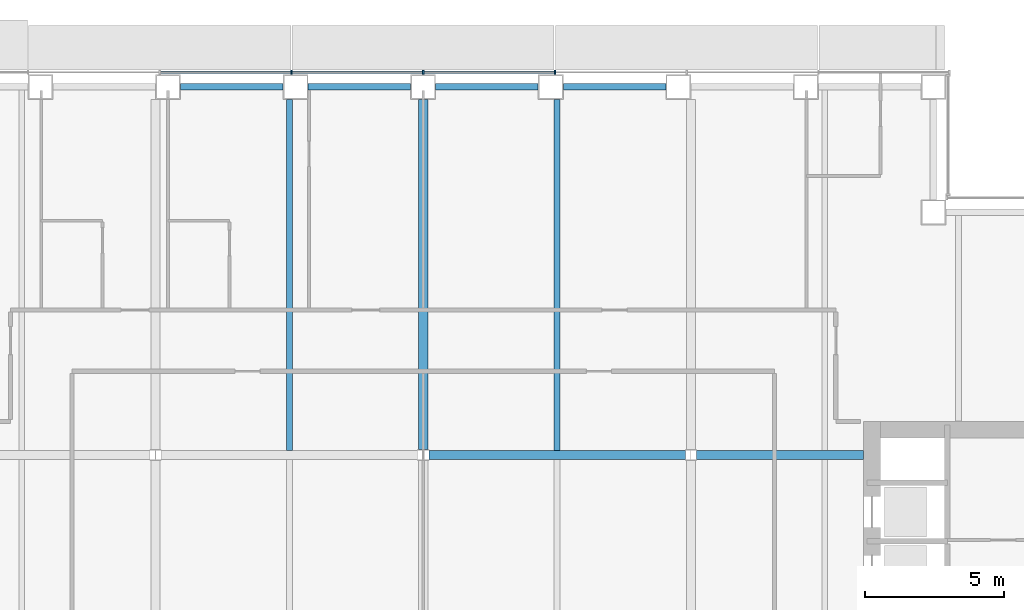
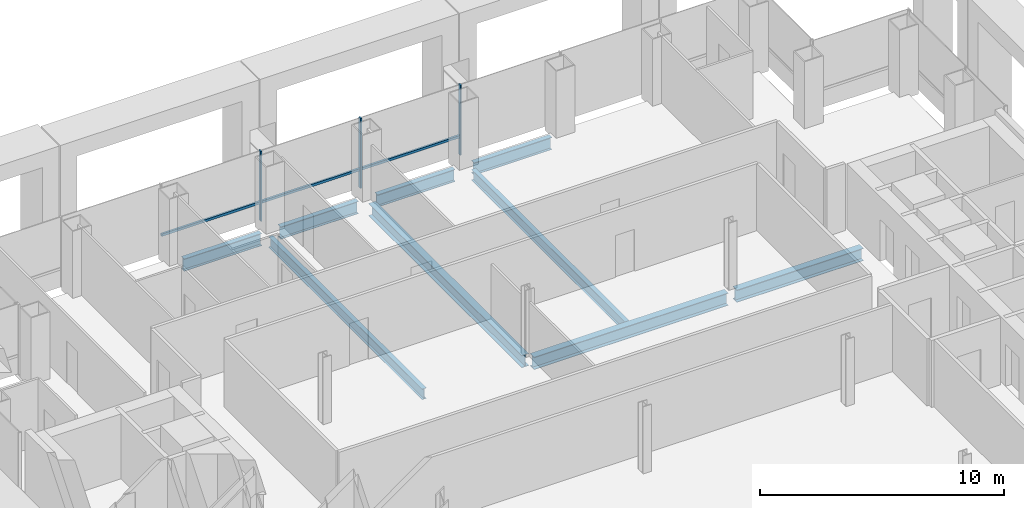
# One storey, part 7 of 19: 9 beams, 6 members, 1 element without a shape of its own.
"""IFC4 building model written with IfcOpenShell, lengths in metres."""

from ifc_helpers import new_model, si_unit, direction, frame, origin, origin_2d, place, context, subcontext, project, spatial, rectangle, i_section, extrude, material, material_profile, profile_set, type_object, element, aggregate, save


model = new_model("IFC4")

# Units and contexts
model_context = context("Model", 3, precision=1e-05, world=origin(), true_north=direction((0.0, 1.0)))
body_context = subcontext(model_context, "Body", "Model", "MODEL_VIEW")
ifc_project = project(units=[si_unit("LENGTHUNIT", "METRE"), si_unit("AREAUNIT", "SQUARE_METRE"), si_unit("VOLUMEUNIT", "CUBIC_METRE"), si_unit("PLANEANGLEUNIT", "RADIAN"), si_unit("MASSUNIT", "GRAM", prefix="KILO")], contexts=[model_context])

# Site, building, storey
site_placement = place(None, origin())
site = spatial("IfcSite", under=ifc_project, at=site_placement, CompositionType="ELEMENT")
building_placement = place(site_placement, origin())
building = spatial("IfcBuilding", under=site, at=building_placement, Name="Cobrizo Arcos Hotel Tower", CompositionType="ELEMENT")
storey_placement = place(building_placement, frame((0.0, 0.0, 103.0)))
storey = spatial("IfcBuildingStorey", under=building, at=storey_placement, Name="L25", CompositionType="ELEMENT", Elevation=103.0)

# Curtain wall, members
ifc_material_1 = material(Name="Aluminium 6063-T6 anodised bronze", Category="aluminium")
curtain_wall_type = type_object("IfcCurtainWallType", Name="CW-A guest facade", PredefinedType="NOTDEFINED", material=ifc_material_1)
curtain_wall_placement = place(storey_placement, origin())
curtain_wall = element("IfcCurtainWall", 1, at=curtain_wall_placement, inside=storey, type_object=curtain_wall_type, Name="CW-A L25 N face", PredefinedType="NOTDEFINED")
ifc_material_profile_1 = material_profile(ifc_material_1, rectangle(XDim=0.14990234375, YDim=0.06005859375, at=origin_2d()), Name="CW-A mullion 150x60")
ifc_profile_set_1 = profile_set([ifc_material_profile_1], Name="Aluminium 6063-T6 anodised bronze")
member_type_1 = type_object("IfcMemberType", Name="CW-A mullion 150x60", PredefinedType="MULLION", material=ifc_profile_set_1)
member_1_placement = place(storey_placement, frame((4.72509765625, 23.324951171875, 0.0), z_axis=(0.0, 0.0, 1.0), x_axis=(0.0, 1.0, 0.0)))
member_1 = element("IfcMember", 2, at=member_1_placement, type_object=member_type_1, Name="CW-A mullion 4", PredefinedType="MULLION", context=body_context, shape_type="SweptSolid", body=[
    extrude(rectangle(XDim=0.14990234375, YDim=0.06005859375, at=origin_2d()), origin(), (0.0, 0.0, 1.0), 3.5),
])
member_2_placement = place(storey_placement, frame((0.0, 23.324951171875, 0.0), z_axis=(0.0, 0.0, 1.0), x_axis=(0.0, 1.0, 0.0)))
member_2 = element("IfcMember", 3, at=member_2_placement, type_object=member_type_1, Name="CW-A mullion 5", PredefinedType="MULLION", context=body_context, shape_type="SweptSolid", body=[
    extrude(rectangle(XDim=0.14990234375, YDim=0.06005859375, at=origin_2d()), origin(), (0.0, 0.0, 1.0), 3.5),
])
member_3_placement = place(storey_placement, frame((-4.72509765625, 23.324951171875, 0.0), z_axis=(0.0, 0.0, 1.0), x_axis=(0.0, 1.0, 0.0)))
member_3 = element("IfcMember", 4, at=member_3_placement, type_object=member_type_1, Name="CW-A mullion 6", PredefinedType="MULLION", context=body_context, shape_type="SweptSolid", body=[
    extrude(rectangle(XDim=0.14990234375, YDim=0.06005859375, at=origin_2d()), origin(), (0.0, 0.0, 1.0), 3.5),
])
ifc_material_profile_2 = material_profile(ifc_material_1, rectangle(XDim=0.10009765625, YDim=0.1201171875, at=origin_2d()), Name="CW-A transom 120x100")
ifc_profile_set_2 = profile_set([ifc_material_profile_2], Name="Aluminium 6063-T6 anodised bronze")
member_type_2 = type_object("IfcMemberType", Name="CW-A transom 120x100", PredefinedType="USERDEFINED", material=ifc_profile_set_2)
member_4_placement = place(storey_placement, frame((4.695068359375, 23.324951171875, 0.929931640625), z_axis=(-1.0, 0.0, 0.0), x_axis=(0.0, -1.0, 0.0)))
member_4 = element("IfcMember", 5, at=member_4_placement, type_object=member_type_2, Name="CW-A transom 998", ObjectType="TRANSOM", PredefinedType="USERDEFINED", context=body_context, shape_type="SweptSolid", body=[
    extrude(rectangle(XDim=0.10009765625, YDim=0.1201171875, at=origin_2d()), origin(), (0.0, 0.0, 1.0), 4.6650390625),
])
member_5_placement = place(storey_placement, frame((-0.030029296875, 23.324951171875, 0.929931640625), z_axis=(-1.0, 0.0, 0.0), x_axis=(0.0, -1.0, 0.0)))
member_5 = element("IfcMember", 6, at=member_5_placement, type_object=member_type_2, Name="CW-A transom 999", ObjectType="TRANSOM", PredefinedType="USERDEFINED", context=body_context, shape_type="SweptSolid", body=[
    extrude(rectangle(XDim=0.10009765625, YDim=0.1201171875, at=origin_2d()), origin(), (0.0, 0.0, 1.0), 4.6650390625),
])
member_6_placement = place(storey_placement, frame((-4.7548828125, 23.324951171875, 0.929931640625), z_axis=(-1.0, 0.0, 0.0), x_axis=(0.0, -1.0, 0.0)))
member_6 = element("IfcMember", 7, at=member_6_placement, type_object=member_type_2, Name="CW-A transom 1000", ObjectType="TRANSOM", PredefinedType="USERDEFINED", context=body_context, shape_type="SweptSolid", body=[
    extrude(rectangle(XDim=0.10009765625, YDim=0.1201171875, at=origin_2d()), origin(), (0.0, 0.0, 1.0), 4.6650390625),
])
aggregate(curtain_wall, [member_1, member_2, member_3, member_4, member_5, member_6])

# Beams
ifc_material_2 = material(Name="Steel ASTM A992 Grade 50", Category="steel")
ifc_material_profile_3 = material_profile(ifc_material_2, i_section(OverallWidth=0.209228515625, OverallDepth=0.533447265625, WebThickness=0.01025390625, FlangeThickness=0.015625, at=origin_2d()), Name="W21X62")
ifc_profile_set_3 = profile_set([ifc_material_profile_3], Name="Steel ASTM A992 Grade 50")
beam_type_1 = type_object("IfcBeamType", Name="W21X62 joist", PredefinedType="JOIST", material=ifc_profile_set_3)
for number, where, z_axis, x_axis, name in (
    (8, (-4.800048828125, 9.763916015625, -0.416748046875), (0.0, 1.0, 0.0), (-1.0, 0.0, 0.0), "Floor joist J1, L25, no. 010"),
    (9, (4.800048828125, 9.763916015625, -0.416748046875), (0.0, 1.0, 0.0), (-1.0, 0.0, 0.0), "Floor joist J1, L25, no. 014"),
):
    element("IfcBeam", number, at=place(storey_placement, frame(where, z_axis=z_axis, x_axis=x_axis)), inside=storey, type_object=beam_type_1, Name=name, PredefinedType="JOIST", context=body_context, shape_type="SweptSolid", body=[
        extrude(i_section(OverallWidth=0.209228515625, OverallDepth=0.533447265625, WebThickness=0.01025390625, FlangeThickness=0.015625, at=origin_2d()), origin(), (0.0, 0.0, 1.0), 12.586181640625),
    ])
ifc_material_profile_4 = material_profile(ifc_material_2, i_section(OverallWidth=0.32763671875, OverallDepth=0.622314453125, WebThickness=0.015380859375, FlangeThickness=0.0244140625, at=origin_2d()), Name="W24X131")
ifc_profile_set_4 = profile_set([ifc_material_profile_4], Name="Steel ASTM A992 Grade 50")
beam_type_2 = type_object("IfcBeamType", Name="W24X131 girder", PredefinedType="BEAM", material=ifc_profile_set_4)
beam_1_placement = place(storey_placement, frame((0.199462890625, 9.60009765625, -0.461181640625), z_axis=(1.0, 0.0, 0.0), x_axis=(0.0, 1.0, 0.0)))
element("IfcBeam", 10, at=beam_1_placement, inside=storey, type_object=beam_type_2, Name="Floor girder G1, L25, no. 011", PredefinedType="BEAM", context=body_context, shape_type="SweptSolid", body=[
    extrude(i_section(OverallWidth=0.32763671875, OverallDepth=0.622314453125, WebThickness=0.015380859375, FlangeThickness=0.0244140625, at=origin_2d()), origin(), (0.0, 0.0, 1.0), 9.201171875),
])
beam_2_placement = place(storey_placement, frame((9.79931640625, 9.60009765625, -0.461181640625), z_axis=(1.0, 0.0, 0.0), x_axis=(0.0, 1.0, 0.0)))
element("IfcBeam", 11, at=beam_2_placement, inside=storey, type_object=beam_type_2, Name="Floor girder G1, L25, no. 012", PredefinedType="BEAM", context=body_context, shape_type="SweptSolid", body=[
    extrude(i_section(OverallWidth=0.32763671875, OverallDepth=0.622314453125, WebThickness=0.015380859375, FlangeThickness=0.0244140625, at=origin_2d()), origin(), (0.0, 0.0, 1.0), 5.99072265625),
])
beam_3_placement = place(storey_placement, frame((0.0, 9.79931640625, -0.461181640625), z_axis=(0.0, 1.0, 0.0), x_axis=(-1.0, 0.0, 0.0)))
element("IfcBeam", 12, at=beam_3_placement, inside=storey, type_object=beam_type_2, Name="Floor girder G1, L25, no. 020", PredefinedType="BEAM", context=body_context, shape_type="SweptSolid", body=[
    extrude(i_section(OverallWidth=0.32763671875, OverallDepth=0.622314453125, WebThickness=0.015380859375, FlangeThickness=0.0244140625, at=origin_2d()), origin(), (0.0, 0.0, 1.0), 12.55078125),
])
ifc_material_profile_5 = material_profile(ifc_material_2, i_section(OverallWidth=0.23046875, OverallDepth=0.6171875, WebThickness=0.01318359375, FlangeThickness=0.022216796875, at=origin_2d()), Name="W24X94")
ifc_profile_set_5 = profile_set([ifc_material_profile_5], Name="Steel ASTM A992 Grade 50")
beam_type_3 = type_object("IfcBeamType", Name="W24X94 spandrel", PredefinedType="SPANDREL", material=ifc_profile_set_5)
for number, where, z_axis, x_axis, name in (
    (13, (8.699951171875, 22.800048828125, -0.45849609375), (-1.0, 0.0, 0.0), (0.0, -1.0, 0.0), "Spandrel beam W24X94, L25, no. 019"),
    (14, (4.125, 22.800048828125, -0.45849609375), (-1.0, 0.0, 0.0), (0.0, -1.0, 0.0), "Spandrel beam W24X94, L25, no. 020"),
    (15, (-0.449951171875, 22.800048828125, -0.45849609375), (-1.0, 0.0, 0.0), (0.0, -1.0, 0.0), "Spandrel beam W24X94, L25, no. 021"),
    (16, (-5.02490234375, 22.800048828125, -0.45849609375), (-1.0, 0.0, 0.0), (0.0, -1.0, 0.0), "Spandrel beam W24X94, L25, no. 022"),
):
    element("IfcBeam", number, at=place(storey_placement, frame(where, z_axis=z_axis, x_axis=x_axis)), inside=storey, type_object=beam_type_3, Name=name, PredefinedType="SPANDREL", context=body_context, shape_type="SweptSolid", body=[
        extrude(i_section(OverallWidth=0.23046875, OverallDepth=0.6171875, WebThickness=0.01318359375, FlangeThickness=0.022216796875, at=origin_2d()), origin(), (0.0, 0.0, 1.0), 3.675048828125),
    ])

save(model, "model.ifc")
